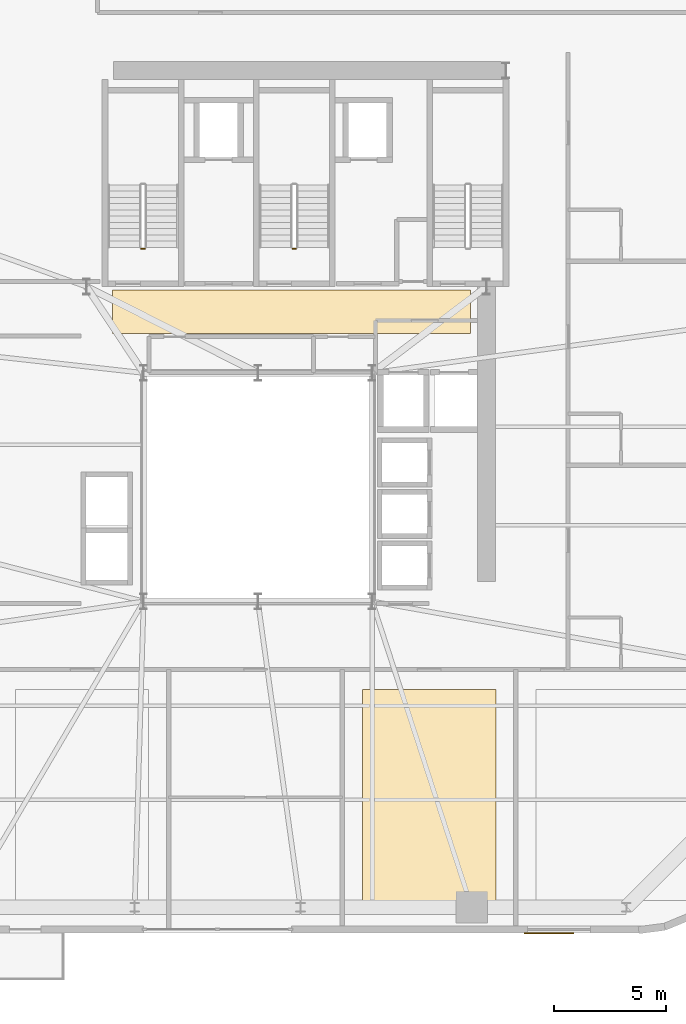
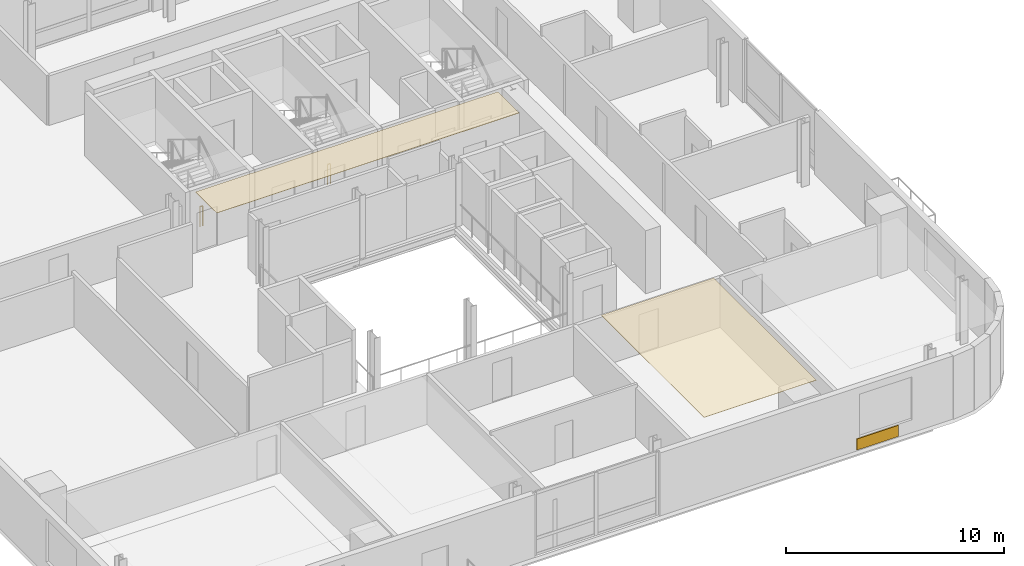
# One storey, part 13 of 16: 3 coverings, 2 railings.
"""IFC4 building model written with IfcOpenShell, lengths in metres."""

from ifc_helpers import new_model, si_unit, direction, frame, origin, origin_2d, place, context, subcontext, project, spatial, polyline, rectangle, outline, extrude, source, transform, mapped, material, layer, layer_set, type_object, element, save


model = new_model("IFC4")

# Units and contexts
model_context = context("Model", 3, precision=1e-05, world=origin(), true_north=direction((0.0, 1.0)))
body_context = subcontext(model_context, "Body", "Model", "MODEL_VIEW")
ifc_project = project(units=[si_unit("LENGTHUNIT", "METRE"), si_unit("AREAUNIT", "SQUARE_METRE"), si_unit("VOLUMEUNIT", "CUBIC_METRE"), si_unit("PLANEANGLEUNIT", "RADIAN"), si_unit("MASSUNIT", "GRAM", prefix="KILO")], contexts=[model_context])

# Site, building, storey
site_placement = place(None, origin())
site = spatial("IfcSite", under=ifc_project, at=site_placement, CompositionType="ELEMENT")
building_placement = place(site_placement, origin())
building = spatial("IfcBuilding", under=site, at=building_placement, Name="Vardaveli Station Tower", CompositionType="ELEMENT")
storey_placement = place(building_placement, frame((0.0, 0.0, 188.550048828125)))
storey = spatial("IfcBuildingStorey", under=building, at=storey_placement, Name="L48", CompositionType="ELEMENT", Elevation=188.550048828125)

# Coverings
ifc_material_1 = material(Name="Perforated acoustic mineral ceiling")
ifc_layer_1 = layer(ifc_material_1, 0.02001953125, Name="Perforated acoustic mineral ceiling")
ifc_layer_set_1 = layer_set([ifc_layer_1], Name="Perforated acoustic mineral ceiling")
covering_type_1 = type_object("IfcCoveringType", Name="COV-CEIL-AC20", PredefinedType="CEILING", material=ifc_layer_set_1)
covering_1_placement = place(storey_placement, frame((0.0, 0.0, 3.514892578125)))
element("IfcCovering", 1, at=covering_1_placement, inside=storey, type_object=covering_type_1, Name="CEIL-L48-3", PredefinedType="CEILING", context=body_context, shape_type="SweptSolid", body=[
    extrude(outline(polyline([(40.969970703125, 3.25), (46.919921875, 3.25), (46.919921875, 12.669921875), (40.969970703125, 12.669921875), (40.969970703125, 3.25)])), origin(), (0.0, 0.0, 1.0), 0.02001953125),
])
covering_2_placement = place(storey_placement, frame((0.0, 0.0, 3.514892578125)))
element("IfcCovering", 2, at=covering_2_placement, inside=storey, type_object=covering_type_1, Name="CEIL-L48-5", PredefinedType="CEILING", context=body_context, shape_type="SweptSolid", body=[
    extrude(outline(polyline([(29.800048828125, 28.550048828125), (45.800048828125, 28.550048828125), (45.800048828125, 30.5), (29.800048828125, 30.5), (29.800048828125, 28.550048828125)])), origin(), (0.0, 0.0, 1.0), 0.02001953125),
])
ifc_material_2 = material(Name="Ventilated honed travertine stone cladding", Category="masonry")
ifc_layer_2 = layer(ifc_material_2, 0.044921875, Name="Ventilated honed travertine stone cladding")
ifc_layer_set_2 = layer_set([ifc_layer_2], Name="Ventilated honed travertine stone cladding")
covering_type_2 = type_object("IfcCoveringType", Name="COV-CLAD-TR45", PredefinedType="CLADDING", material=ifc_layer_set_2)
shared_shape_1 = source(origin(), body_context, "Body", "SweptSolid", [
    extrude(rectangle(XDim=2.199951171875, YDim=0.044921875, at=origin_2d()), origin(), (0.0, 0.0, 1.0), 0.6201171875),
])
covering_3_placement = place(storey_placement, frame((49.294921875, 1.785400390625, 0.06982421875), z_axis=(0.0, 0.0, 1.0), x_axis=(1.0, 0.0, 0.0)))
element("IfcCovering", 3, at=covering_3_placement, inside=storey, type_object=covering_type_2, Name="CLD-TR-L48-S", PredefinedType="CLADDING", context=body_context, shape_type="MappedRepresentation", body=[
    mapped(shared_shape_1, transform((0.0, 0.0, 0.0), scale=1.0)),
])

# Railings
ifc_material_3 = material(Name="Brushed AISI 316 stainless steel", Category="steel")
railing_type = type_object("IfcRailingType", Name="RL-GUARD-1150", PredefinedType="GUARDRAIL", material=ifc_material_3)
shared_shape_2 = source(origin(), body_context, "Body", "SweptSolid", [
    extrude(rectangle(XDim=0.048095703125, YDim=0.048095703125, at=origin_2d()), frame((0.0, 0.0, 1.1259765625), z_axis=(-1.0, 0.0, 0.0), x_axis=(0.0, -1.0, 0.0)), (0.0, 0.0, 1.0), 0.14990234375),
    extrude(rectangle(XDim=0.0419921875, YDim=0.0419921875, at=origin_2d()), origin(), (0.0, 0.0, 1.0), 1.101806640625),
    extrude(rectangle(XDim=0.0419921875, YDim=0.0419921875, at=origin_2d()), frame((-0.14990234375, 0.0, 0.0)), (0.0, 0.0, 1.0), 1.101806640625),
])
for number, where, name in (
    (4, (31.25, 32.35009765625, 0.0), "L48 ST-1 stair guard 4"),
    (5, (38.0, 32.35009765625, 0.0), "L48 ST-2 stair guard 4"),
):
    element("IfcRailing", number, at=place(storey_placement, frame(where)), inside=storey, type_object=railing_type, Name=name, PredefinedType="GUARDRAIL", context=body_context, shape_type="MappedRepresentation", body=[
        mapped(shared_shape_2, transform((0.0, 0.0, 0.0), scale=1.0)),
    ])

save(model, "model.ifc")
